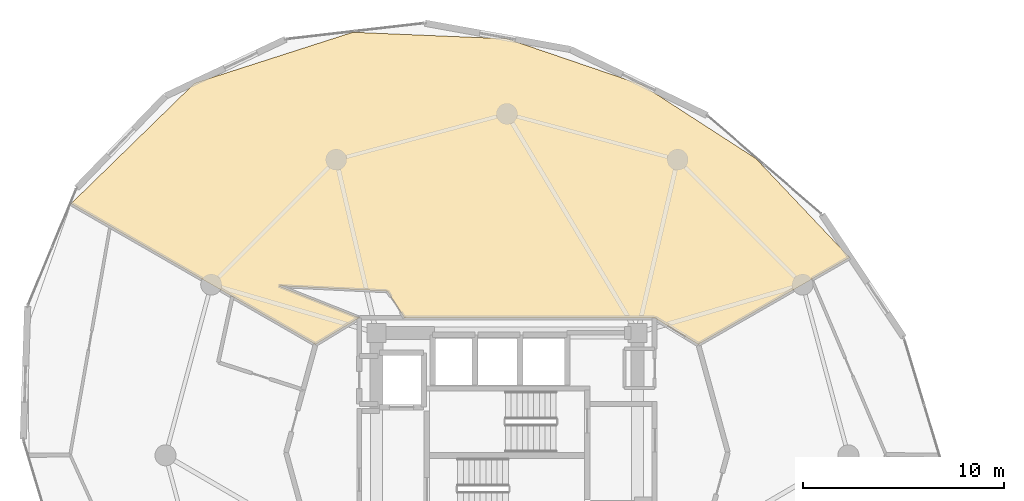
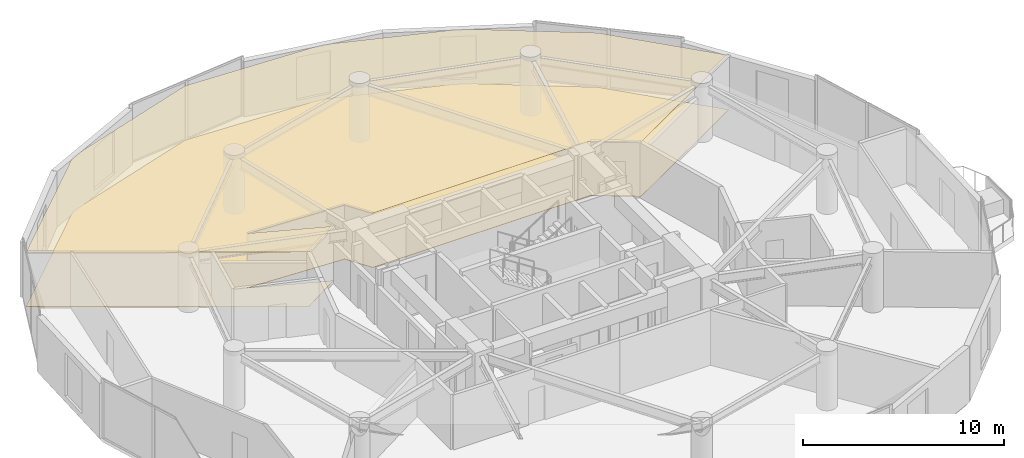
# One storey, part 26 of 26: 2 coverings.
"""IFC4 building model written with IfcOpenShell, lengths in metres."""

from ifc_helpers import new_model, si_unit, direction, frame, origin, place, context, subcontext, project, spatial, polyline, outline, extrude, material, layer, layer_set, type_object, element, save


model = new_model("IFC4")

# Units and contexts
model_context = context("Model", 3, precision=1e-05, world=origin(), true_north=direction((0.0, 1.0)))
body_context = subcontext(model_context, "Body", "Model", "MODEL_VIEW")
ifc_project = project(units=[si_unit("LENGTHUNIT", "METRE"), si_unit("AREAUNIT", "SQUARE_METRE"), si_unit("VOLUMEUNIT", "CUBIC_METRE"), si_unit("PLANEANGLEUNIT", "RADIAN"), si_unit("MASSUNIT", "GRAM", prefix="KILO")], contexts=[model_context])

# Site, building, storey
site_placement = place(None, origin())
site = spatial("IfcSite", under=ifc_project, at=site_placement, CompositionType="ELEMENT")
building_placement = place(site_placement, origin())
building = spatial("IfcBuilding", under=site, at=building_placement, Name="Solvirekh Grand Hotel", CompositionType="ELEMENT")
storey_placement = place(building_placement, frame((0.0, 0.0, 113.39990234375)))
storey = spatial("IfcBuildingStorey", under=building, at=storey_placement, Name="L28", CompositionType="ELEMENT", Elevation=113.39990234375)

# Coverings
ifc_material_1 = material(Name="Acoustic Mineral Ceiling Tile")
ifc_layer_1 = layer(ifc_material_1, 0.02490234375)
ifc_layer_set_1 = layer_set([ifc_layer_1], Name="Acoustic Mineral Ceiling Tile")
covering_type_1 = type_object("IfcCoveringType", Name="Cov_Ceiling_Acoustic", PredefinedType="CEILING", material=ifc_layer_set_1)
covering_1_placement = place(storey_placement, frame((0.0, 0.0, 3.300048828125)))
element("IfcCovering", 1, at=covering_1_placement, inside=storey, type_object=covering_type_1, Name="L28 Panorama Suite 3001 acoustic ceiling", PredefinedType="CEILING", context=body_context, shape_type="SweptSolid", body=[
    extrude(outline(polyline([(-7.35009765625, 6.85009765625), (-11.368896484375, 8.43994140625), (-5.949951171875, 8.177978515625), (-5.10009765625, 6.85009765625), (7.35009765625, 6.85009765625), (9.52587890625, 5.52490234375), (17.06005859375, 9.84912109375), (12.39599609375, 14.77392578125), (6.715087890625, 18.449951171875), (0.0, 20.740966796875), (-7.6669921875, 21.06396484375), (-15.548095703125, 18.530029296875), (-21.701904296875, 12.530029296875), (-9.52587890625, 5.52490234375), (-7.35009765625, 6.85009765625)])), origin(), (0.0, 0.0, 1.0), 0.01806640625),
])
ifc_material_2 = material(Name="Porcelain Stoneware Flooring", Category="masonry")
ifc_layer_2 = layer(ifc_material_2, 0.030029296875)
ifc_layer_set_2 = layer_set([ifc_layer_2], Name="Porcelain Stoneware Flooring")
covering_type_2 = type_object("IfcCoveringType", Name="Cov_Floor_Stone", PredefinedType="FLOORING", material=ifc_layer_set_2)
covering_2_placement = place(storey_placement, origin())
element("IfcCovering", 2, at=covering_2_placement, inside=storey, type_object=covering_type_2, Name="L28 Panorama Suite 3001 polished granite flooring", PredefinedType="FLOORING", context=body_context, shape_type="SweptSolid", body=[
    extrude(outline(polyline([(-7.35009765625, 6.85009765625), (-11.368896484375, 8.43994140625), (-5.949951171875, 8.177978515625), (-5.10009765625, 6.85009765625), (7.35009765625, 6.85009765625), (9.52587890625, 5.52490234375), (17.06005859375, 9.84912109375), (12.39599609375, 14.77392578125), (6.715087890625, 18.449951171875), (0.0, 20.740966796875), (-7.6669921875, 21.06396484375), (-15.548095703125, 18.530029296875), (-21.701904296875, 12.530029296875), (-9.52587890625, 5.52490234375), (-7.35009765625, 6.85009765625)])), origin(), (0.0, 0.0, 1.0), 0.02001953125),
])

save(model, "model.ifc")
